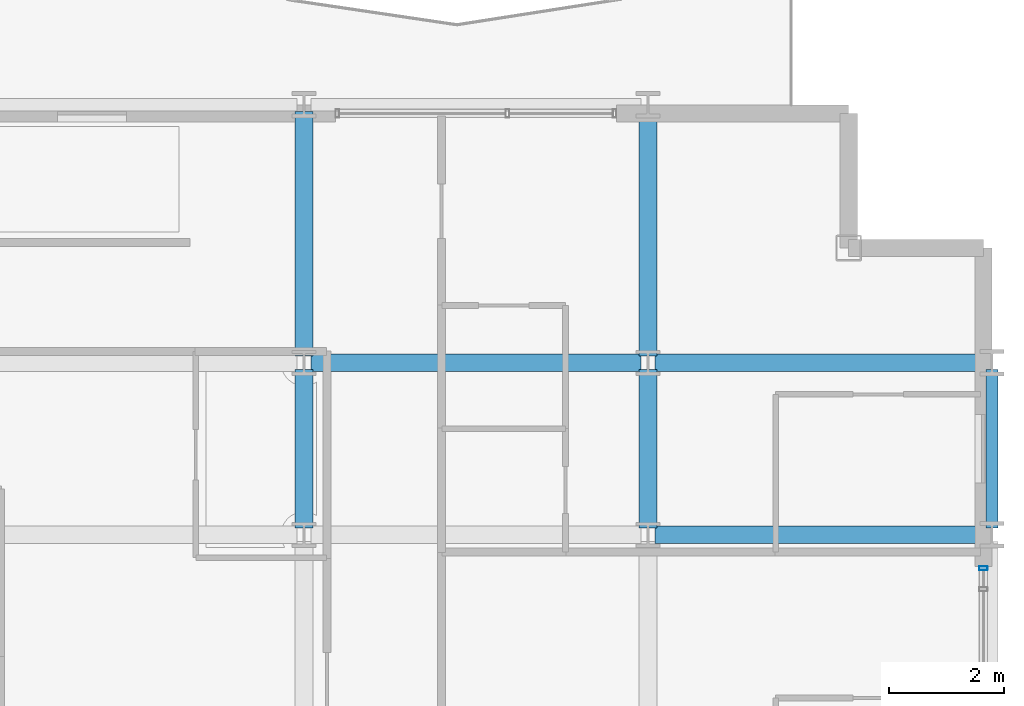
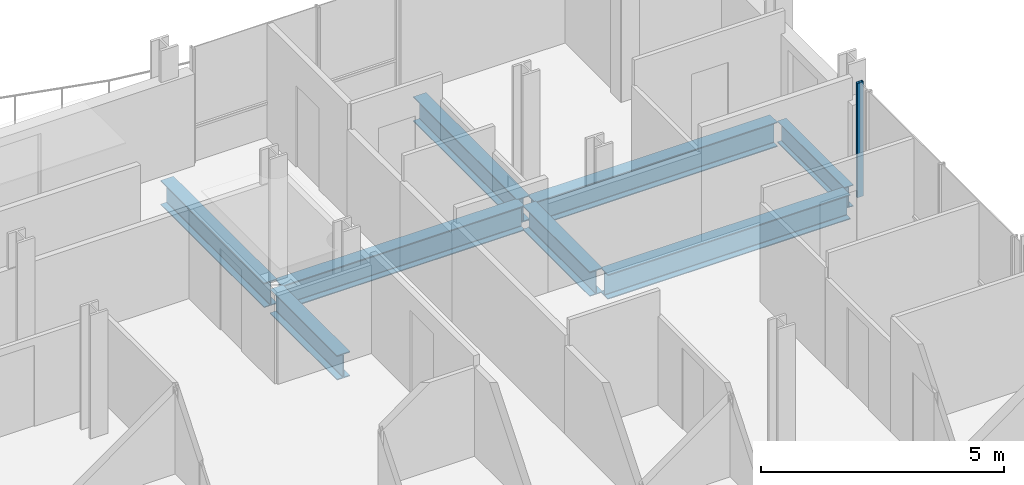
# One storey, part 20 of 41: 8 beams, 1 member, 1 element without a shape of its own.
"""IFC4 building model written with IfcOpenShell, lengths in metres."""

from ifc_helpers import new_model, si_unit, direction, frame, origin, origin_2d, place, context, subcontext, project, spatial, hollow_rectangle, i_section, extrude, material, layer, layer_set, material_profile, profile_set, type_object, element, aggregate, save


model = new_model("IFC4")

# Units and contexts
model_context = context("Model", 3, precision=1e-05, world=origin(), true_north=direction((0.0, 1.0)))
body_context = subcontext(model_context, "Body", "Model", "MODEL_VIEW")
ifc_project = project(units=[si_unit("LENGTHUNIT", "METRE"), si_unit("AREAUNIT", "SQUARE_METRE"), si_unit("VOLUMEUNIT", "CUBIC_METRE"), si_unit("PLANEANGLEUNIT", "RADIAN"), si_unit("MASSUNIT", "GRAM", prefix="KILO")], contexts=[model_context])

# Site, building, storey
site_placement = place(None, origin())
site = spatial("IfcSite", under=ifc_project, at=site_placement, CompositionType="ELEMENT")
building_placement = place(site_placement, origin())
building = spatial("IfcBuilding", under=site, at=building_placement, Name="Brevholm Reach", CompositionType="ELEMENT")
storey_placement = place(building_placement, frame((0.0, 0.0, 68.300048828125)))
storey = spatial("IfcBuildingStorey", under=building, at=storey_placement, Name="L19", CompositionType="ELEMENT", Elevation=68.300048828125)

# Beams
ifc_material_1 = material(Name="Structural Steel S355J2", Category="steel")
ifc_material_profile_1 = material_profile(ifc_material_1, i_section(OverallWidth=0.210693359375, OverallDepth=0.53955078125, WebThickness=0.01171875, FlangeThickness=0.018798828125, FilletRadius=0.0126953125, at=origin_2d()), Name="UKB 533x210x109")
ifc_profile_set_1 = profile_set([ifc_material_profile_1], Name="Structural Steel S355J2")
beam_type_1 = type_object("IfcBeamType", Name="BM-SP539", PredefinedType="SPANDREL", material=ifc_profile_set_1)
beam_1_placement = place(storey_placement, frame((60.0, 23.6201171875, -0.499755859375), z_axis=(0.0, 1.0, 0.0), x_axis=(-1.0, 0.0, 0.0)))
element("IfcBeam", 1, at=beam_1_placement, inside=storey, type_object=beam_type_1, Name="L19 SP-01B Framing Beam", PredefinedType="SPANDREL", context=body_context, shape_type="SweptSolid", body=[
    extrude(i_section(OverallWidth=0.210693359375, OverallDepth=0.53955078125, WebThickness=0.01171875, FlangeThickness=0.018798828125, FilletRadius=0.0126953125, at=origin_2d()), origin(), (0.0, 0.0, 1.0), 2.759765625),
])
ifc_material_2 = material(Name="Structural Steel S355J2", Category="steel")
ifc_material_profile_2 = material_profile(ifc_material_2, i_section(OverallWidth=0.30712890625, OverallDepth=0.6201171875, WebThickness=0.01416015625, FlangeThickness=0.023681640625, FilletRadius=0.0166015625, at=origin_2d()), Name="UKB 610x305x179")
ifc_profile_set_2 = profile_set([ifc_material_profile_2], Name="Structural Steel S355J2")
beam_type_2 = type_object("IfcBeamType", Name="BM-UKB610H", PredefinedType="USERDEFINED", material=ifc_profile_set_2)
for number, where, z_axis, x_axis, name in (
    (2, (54.1201171875, 23.5, -0.5400390625), (1.0, 0.0, 0.0), (0.0, 1.0, 0.0), "L19 G-06 Framing Beam"),
    (3, (48.1201171875, 26.5, -0.5400390625), (1.0, 0.0, 0.0), (0.0, 1.0, 0.0), "L19 G-06 Framing Beam"),
    (4, (54.1201171875, 26.5, -0.5400390625), (1.0, 0.0, 0.0), (0.0, 1.0, 0.0), "L19 G-06 Framing Beam"),
):
    element("IfcBeam", number, at=place(storey_placement, frame(where, z_axis=z_axis, x_axis=x_axis)), inside=storey, type_object=beam_type_2, Name=name, ObjectType="GIRDER", PredefinedType="USERDEFINED", context=body_context, shape_type="SweptSolid", body=[
        extrude(i_section(OverallWidth=0.30712890625, OverallDepth=0.6201171875, WebThickness=0.01416015625, FlangeThickness=0.023681640625, FilletRadius=0.0166015625, at=origin_2d()), origin(), (0.0, 0.0, 1.0), 5.759765625),
    ])
beam_2_placement = place(storey_placement, frame((48.0, 23.6201171875, -0.5400390625), z_axis=(0.0, 1.0, 0.0), x_axis=(-1.0, 0.0, 0.0)))
element("IfcBeam", 5, at=beam_2_placement, inside=storey, type_object=beam_type_2, Name="L19 G-06 Framing Beam", ObjectType="GIRDER", PredefinedType="USERDEFINED", context=body_context, shape_type="SweptSolid", body=[
    extrude(i_section(OverallWidth=0.30712890625, OverallDepth=0.6201171875, WebThickness=0.01416015625, FlangeThickness=0.023681640625, FilletRadius=0.0166015625, at=origin_2d()), origin(), (0.0, 0.0, 1.0), 2.759765625),
])
beam_3_placement = place(storey_placement, frame((48.0, 26.6201171875, -0.5400390625), z_axis=(0.0, 1.0, 0.0), x_axis=(-1.0, 0.0, 0.0)))
element("IfcBeam", 6, at=beam_3_placement, inside=storey, type_object=beam_type_2, Name="L19 G-06 Framing Beam", ObjectType="GIRDER", PredefinedType="USERDEFINED", context=body_context, shape_type="SweptSolid", body=[
    extrude(i_section(OverallWidth=0.30712890625, OverallDepth=0.6201171875, WebThickness=0.01416015625, FlangeThickness=0.023681640625, FilletRadius=0.0166015625, at=origin_2d()), origin(), (0.0, 0.0, 1.0), 4.259765625),
])
beam_4_placement = place(storey_placement, frame((54.0, 23.6201171875, -0.5400390625), z_axis=(0.0, 1.0, 0.0), x_axis=(-1.0, 0.0, 0.0)))
element("IfcBeam", 7, at=beam_4_placement, inside=storey, type_object=beam_type_2, Name="L19 G-06 Framing Beam", ObjectType="GIRDER", PredefinedType="USERDEFINED", context=body_context, shape_type="SweptSolid", body=[
    extrude(i_section(OverallWidth=0.30712890625, OverallDepth=0.6201171875, WebThickness=0.01416015625, FlangeThickness=0.023681640625, FilletRadius=0.0166015625, at=origin_2d()), origin(), (0.0, 0.0, 1.0), 2.759765625),
])
beam_5_placement = place(storey_placement, frame((54.0, 26.6201171875, -0.5400390625), z_axis=(0.0, 1.0, 0.0), x_axis=(-1.0, 0.0, 0.0)))
element("IfcBeam", 8, at=beam_5_placement, inside=storey, type_object=beam_type_2, Name="L19 G-06 Framing Beam", ObjectType="GIRDER", PredefinedType="USERDEFINED", context=body_context, shape_type="SweptSolid", body=[
    extrude(i_section(OverallWidth=0.30712890625, OverallDepth=0.6201171875, WebThickness=0.01416015625, FlangeThickness=0.023681640625, FilletRadius=0.0166015625, at=origin_2d()), origin(), (0.0, 0.0, 1.0), 4.259765625),
])

# Curtain wall, member
ifc_material_3 = material(Name="Dark Anodised Aluminium 6063-T6 and Solar-Control Glass", Category="aluminium")
ifc_layer = layer(ifc_material_3, 0.14990234375)
ifc_layer_set = layer_set([ifc_layer], Name="Dark Anodised Aluminium 6063-T6 and Solar-Control Glass")
curtain_wall_type = type_object("IfcCurtainWallType", Name="CW-01", PredefinedType="NOTDEFINED", material=ifc_layer_set)
curtain_wall_placement = place(storey_placement, origin())
curtain_wall = element("IfcCurtainWall", 9, at=curtain_wall_placement, inside=storey, type_object=curtain_wall_type, Name="L19 Curtain Wall CW-01", PredefinedType="NOTDEFINED")
ifc_material_4 = material(Name="Dark Anodised Aluminium 6063-T6", Category="aluminium")
ifc_material_profile_3 = material_profile(ifc_material_4, hollow_rectangle(XDim=0.06494140625, YDim=0.14990234375, WallThickness=0.0048828125, InnerFilletRadius=0.0048828125, OuterFilletRadius=0.010009765625, at=origin_2d()), Name="RHS 150x65x5")
ifc_profile_set_3 = profile_set([ifc_material_profile_3], Name="Dark Anodised Aluminium 6063-T6")
member_type = type_object("IfcMemberType", Name="CWM-150", PredefinedType="MULLION", material=ifc_profile_set_3)
member_placement = place(storey_placement, frame((59.85009765625, 22.91748046875, 0.0), z_axis=(0.0, 0.0, 1.0), x_axis=(0.0, 1.0, 0.0)))
member = element("IfcMember", 10, at=member_placement, type_object=member_type, Name="CM-150 Mullion 6", PredefinedType="MULLION", context=body_context, shape_type="SweptSolid", body=[
    extrude(hollow_rectangle(XDim=0.06494140625, YDim=0.14990234375, WallThickness=0.0048828125, InnerFilletRadius=0.0048828125, OuterFilletRadius=0.010009765625, at=origin_2d()), origin(), (0.0, 0.0, 1.0), 2.869873046875),
])
aggregate(curtain_wall, [member])

save(model, "model.ifc")
